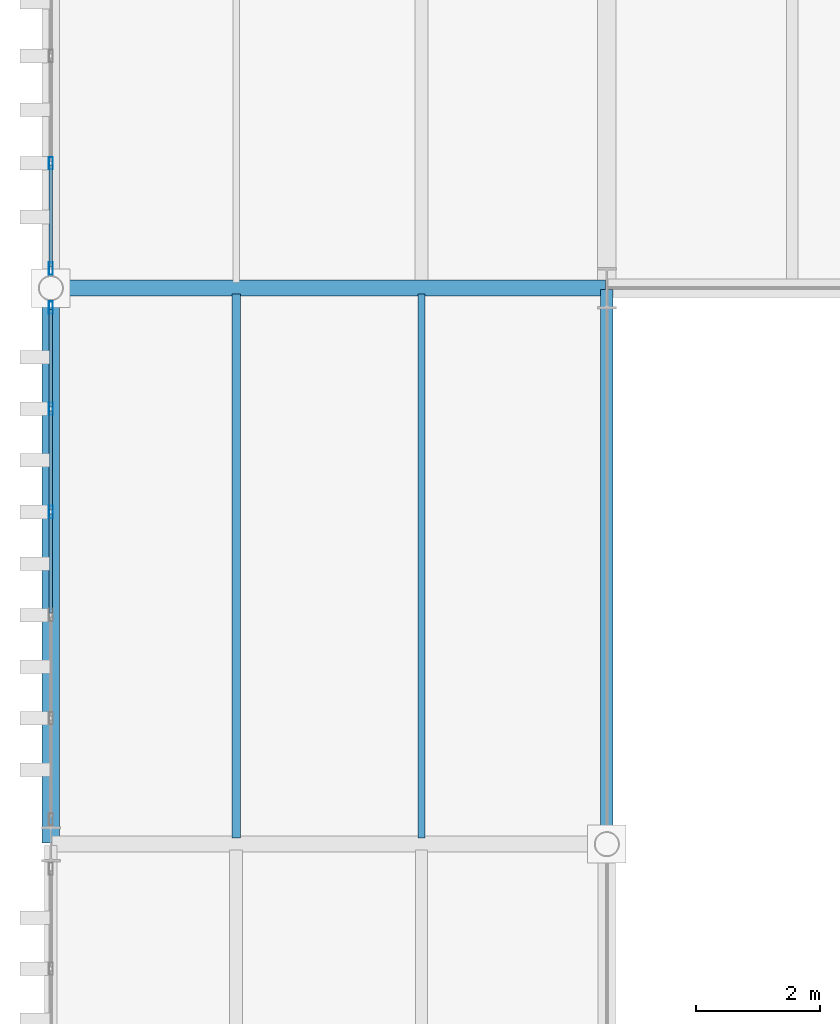
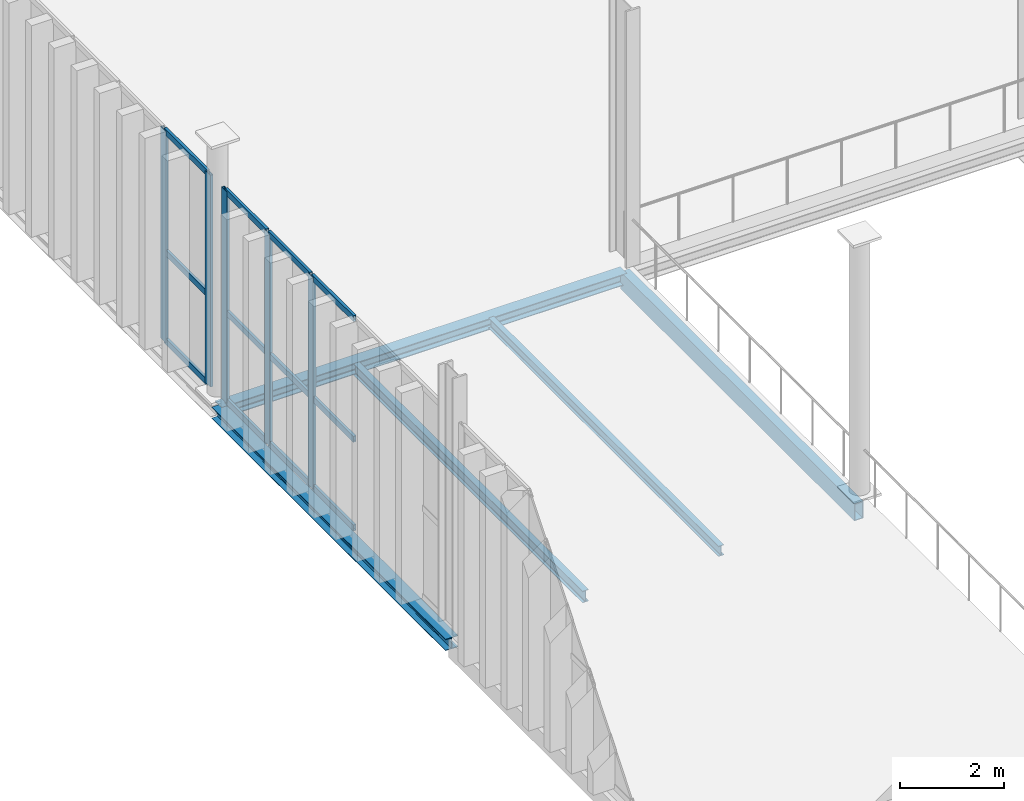
# One storey, part 78 of 211: 17 members, 5 beams, 2 elements without a shape of their own.
"""IFC4 building model written with IfcOpenShell, lengths in metres."""

from ifc_helpers import new_model, si_unit, direction, frame, origin, origin_2d, place, context, subcontext, project, spatial, hollow_rectangle, i_section, extrude, material, layer, layer_set, material_profile, profile_set, type_object, element, aggregate, save


model = new_model("IFC4")

# Units and contexts
model_context = context("Model", 3, precision=1e-05, world=origin(), true_north=direction((0.0, 1.0)))
body_context = subcontext(model_context, "Body", "Model", "MODEL_VIEW")
ifc_project = project(units=[si_unit("LENGTHUNIT", "METRE"), si_unit("AREAUNIT", "SQUARE_METRE"), si_unit("VOLUMEUNIT", "CUBIC_METRE"), si_unit("PLANEANGLEUNIT", "RADIAN"), si_unit("MASSUNIT", "GRAM", prefix="KILO")], contexts=[model_context])

# Site, building, storey
site_placement = place(None, origin())
site = spatial("IfcSite", under=ifc_project, at=site_placement, CompositionType="ELEMENT")
building_placement = place(site_placement, origin())
building = spatial("IfcBuilding", under=site, at=building_placement, Name="Barlavento Convention Centre", CompositionType="ELEMENT")
storey_placement = place(building_placement, frame((0.0, 0.0, 6.0)))
storey = spatial("IfcBuildingStorey", under=building, at=storey_placement, Name="L01", CompositionType="ELEMENT", Elevation=6.0)

# Curtain wall, members
ifc_material_1 = material(Name="Powder-coated aluminium and Low-E glass", Category="aluminium")
ifc_layer = layer(ifc_material_1, 0.179931640625)
ifc_layer_set = layer_set([ifc_layer], Name="ARC-CW-EXH-L01")
curtain_wall_type = type_object("IfcCurtainWallType", Name="ARC-CW-EXH-L01", PredefinedType="NOTDEFINED", material=ifc_layer_set)
curtain_wall_1_placement = place(storey_placement, origin())
curtain_wall_1 = element("IfcCurtainWall", 1, at=curtain_wall_1_placement, inside=storey, type_object=curtain_wall_type, Name="L01 unitised curtain wall CW04", PredefinedType="NOTDEFINED")
ifc_material_2 = material(Name="Powder-coated aluminium", Category="aluminium")
ifc_material_profile_1 = material_profile(ifc_material_2, hollow_rectangle(XDim=0.06494140625, YDim=0.199951171875, WallThickness=0.0048828125, at=origin_2d()), Name="AL-MULL 65x200x5")
ifc_profile_set_1 = profile_set([ifc_material_profile_1], Name="Powder-coated aluminium")
member_type_1 = type_object("IfcMemberType", Name="ARC-CWM-65X200", PredefinedType="MULLION", material=ifc_profile_set_1)
member_1_placement = place(storey_placement, frame((0.0, 113.37646484375, 0.0), z_axis=(0.0, 0.0, 1.0), x_axis=(-1.0, 0.0, 0.0)))
member_1 = element("IfcMember", 2, at=member_1_placement, type_object=member_type_1, Name="CW04 mullion 4", PredefinedType="MULLION", context=body_context, shape_type="SweptSolid", body=[
    extrude(hollow_rectangle(XDim=0.06494140625, YDim=0.199951171875, WallThickness=0.0048828125, at=origin_2d()), origin(), (0.0, 0.0, 1.0), 4.949951171875),
])
member_2_placement = place(storey_placement, frame((0.0, 115.046630859375, 0.0), z_axis=(0.0, 0.0, 1.0), x_axis=(-1.0, 0.0, 0.0)))
member_2 = element("IfcMember", 3, at=member_2_placement, type_object=member_type_1, Name="CW04 mullion 5", PredefinedType="MULLION", context=body_context, shape_type="SweptSolid", body=[
    extrude(hollow_rectangle(XDim=0.06494140625, YDim=0.199951171875, WallThickness=0.0048828125, at=origin_2d()), origin(), (0.0, 0.0, 1.0), 4.949951171875),
])
member_3_placement = place(storey_placement, frame((0.0, 116.684326171875, 0.0), z_axis=(0.0, 0.0, 1.0), x_axis=(-1.0, 0.0, 0.0)))
member_3 = element("IfcMember", 4, at=member_3_placement, type_object=member_type_1, Name="CW04 mullion 6", PredefinedType="MULLION", context=body_context, shape_type="SweptSolid", body=[
    extrude(hollow_rectangle(XDim=0.06494140625, YDim=0.199951171875, WallThickness=0.0048828125, at=origin_2d()), origin(), (0.0, 0.0, 1.0), 4.949951171875),
])

curtain_wall_2_placement = place(storey_placement, origin())
curtain_wall_2 = element("IfcCurtainWall", 5, at=curtain_wall_2_placement, inside=storey, type_object=curtain_wall_type, Name="L01 unitised curtain wall CW04", PredefinedType="NOTDEFINED")
member_4_placement = place(storey_placement, frame((0.0, 117.315673828125, 0.0), z_axis=(0.0, 0.0, 1.0), x_axis=(-1.0, 0.0, 0.0)))
member_4 = element("IfcMember", 6, at=member_4_placement, type_object=member_type_1, Name="CW04 mullion 1", PredefinedType="MULLION", context=body_context, shape_type="SweptSolid", body=[
    extrude(hollow_rectangle(XDim=0.06494140625, YDim=0.199951171875, WallThickness=0.0048828125, at=origin_2d()), origin(), (0.0, 0.0, 1.0), 4.949951171875),
])
member_5_placement = place(storey_placement, frame((0.0, 119.020751953125, 0.0), z_axis=(0.0, 0.0, 1.0), x_axis=(-1.0, 0.0, 0.0)))
member_5 = element("IfcMember", 7, at=member_5_placement, type_object=member_type_1, Name="CW04 mullion 2", PredefinedType="MULLION", context=body_context, shape_type="SweptSolid", body=[
    extrude(hollow_rectangle(XDim=0.06494140625, YDim=0.199951171875, WallThickness=0.0048828125, at=origin_2d()), origin(), (0.0, 0.0, 1.0), 4.949951171875),
])

# Member
ifc_material_profile_2 = material_profile(ifc_material_2, hollow_rectangle(XDim=0.06005859375, YDim=0.139892578125, WallThickness=0.00390625, at=origin_2d()), Name="AL-TRAN 60x140x4")
ifc_profile_set_2 = profile_set([ifc_material_profile_2], Name="Powder-coated aluminium")
member_type_2 = type_object("IfcMemberType", Name="ARC-CWT-60X140", PredefinedType="USERDEFINED", material=ifc_profile_set_2)
member_6_placement = place(storey_placement, frame((0.0, 111.73876953125, 0.030029296875), z_axis=(0.0, 1.0, 0.0), x_axis=(-1.0, 0.0, 0.0)))
member_6 = element("IfcMember", 8, at=member_6_placement, type_object=member_type_2, Name="CW04 transom 3.1", ObjectType="TRANSOM", PredefinedType="USERDEFINED", context=body_context, shape_type="SweptSolid", body=[
    extrude(hollow_rectangle(XDim=0.06005859375, YDim=0.139892578125, WallThickness=0.00390625, at=origin_2d()), origin(), (0.0, 0.0, 1.0), 1.605224609375),
])

member_7_placement = place(storey_placement, frame((0.0, 111.73876953125, 2.10009765625), z_axis=(0.0, 1.0, 0.0), x_axis=(-1.0, 0.0, 0.0)))
member_7 = element("IfcMember", 9, at=member_7_placement, type_object=member_type_2, Name="CW04 transom 3.2", ObjectType="TRANSOM", PredefinedType="USERDEFINED", context=body_context, shape_type="SweptSolid", body=[
    extrude(hollow_rectangle(XDim=0.06005859375, YDim=0.139892578125, WallThickness=0.00390625, at=origin_2d()), origin(), (0.0, 0.0, 1.0), 1.605224609375),
])

member_8_placement = place(storey_placement, frame((0.0, 111.73876953125, 4.919921875), z_axis=(0.0, 1.0, 0.0), x_axis=(-1.0, 0.0, 0.0)))
member_8 = element("IfcMember", 10, at=member_8_placement, type_object=member_type_2, Name="CW04 transom 3.3", ObjectType="TRANSOM", PredefinedType="USERDEFINED", context=body_context, shape_type="SweptSolid", body=[
    extrude(hollow_rectangle(XDim=0.06005859375, YDim=0.139892578125, WallThickness=0.00390625, at=origin_2d()), origin(), (0.0, 0.0, 1.0), 1.605224609375),
])

member_9_placement = place(storey_placement, frame((0.0, 113.408935546875, 0.030029296875), z_axis=(0.0, 1.0, 0.0), x_axis=(-1.0, 0.0, 0.0)))
member_9 = element("IfcMember", 11, at=member_9_placement, type_object=member_type_2, Name="CW04 transom 4.1", ObjectType="TRANSOM", PredefinedType="USERDEFINED", context=body_context, shape_type="SweptSolid", body=[
    extrude(hollow_rectangle(XDim=0.06005859375, YDim=0.139892578125, WallThickness=0.00390625, at=origin_2d()), origin(), (0.0, 0.0, 1.0), 1.605224609375),
])

member_10_placement = place(storey_placement, frame((0.0, 113.408935546875, 2.10009765625), z_axis=(0.0, 1.0, 0.0), x_axis=(-1.0, 0.0, 0.0)))
member_10 = element("IfcMember", 12, at=member_10_placement, type_object=member_type_2, Name="CW04 transom 4.2", ObjectType="TRANSOM", PredefinedType="USERDEFINED", context=body_context, shape_type="SweptSolid", body=[
    extrude(hollow_rectangle(XDim=0.06005859375, YDim=0.139892578125, WallThickness=0.00390625, at=origin_2d()), origin(), (0.0, 0.0, 1.0), 1.605224609375),
])

member_11_placement = place(storey_placement, frame((0.0, 113.408935546875, 4.919921875), z_axis=(0.0, 1.0, 0.0), x_axis=(-1.0, 0.0, 0.0)))
member_11 = element("IfcMember", 13, at=member_11_placement, type_object=member_type_2, Name="CW04 transom 4.3", ObjectType="TRANSOM", PredefinedType="USERDEFINED", context=body_context, shape_type="SweptSolid", body=[
    extrude(hollow_rectangle(XDim=0.06005859375, YDim=0.139892578125, WallThickness=0.00390625, at=origin_2d()), origin(), (0.0, 0.0, 1.0), 1.605224609375),
])

member_12_placement = place(storey_placement, frame((0.0, 115.0791015625, 0.030029296875), z_axis=(0.0, 1.0, 0.0), x_axis=(-1.0, 0.0, 0.0)))
member_12 = element("IfcMember", 14, at=member_12_placement, type_object=member_type_2, Name="CW04 transom 5.1", ObjectType="TRANSOM", PredefinedType="USERDEFINED", context=body_context, shape_type="SweptSolid", body=[
    extrude(hollow_rectangle(XDim=0.06005859375, YDim=0.139892578125, WallThickness=0.00390625, at=origin_2d()), origin(), (0.0, 0.0, 1.0), 1.57275390625),
])

member_13_placement = place(storey_placement, frame((0.0, 115.0791015625, 2.10009765625), z_axis=(0.0, 1.0, 0.0), x_axis=(-1.0, 0.0, 0.0)))
member_13 = element("IfcMember", 15, at=member_13_placement, type_object=member_type_2, Name="CW04 transom 5.2", ObjectType="TRANSOM", PredefinedType="USERDEFINED", context=body_context, shape_type="SweptSolid", body=[
    extrude(hollow_rectangle(XDim=0.06005859375, YDim=0.139892578125, WallThickness=0.00390625, at=origin_2d()), origin(), (0.0, 0.0, 1.0), 1.57275390625),
])

member_14_placement = place(storey_placement, frame((0.0, 115.0791015625, 4.919921875), z_axis=(0.0, 1.0, 0.0), x_axis=(-1.0, 0.0, 0.0)))
member_14 = element("IfcMember", 16, at=member_14_placement, type_object=member_type_2, Name="CW04 transom 5.3", ObjectType="TRANSOM", PredefinedType="USERDEFINED", context=body_context, shape_type="SweptSolid", body=[
    extrude(hollow_rectangle(XDim=0.06005859375, YDim=0.139892578125, WallThickness=0.00390625, at=origin_2d()), origin(), (0.0, 0.0, 1.0), 1.57275390625),
])

aggregate(curtain_wall_1, [member_1, member_2, member_3, member_6, member_7, member_8, member_9, member_10, member_11, member_12, member_13, member_14])

member_15_placement = place(storey_placement, frame((0.0, 117.34814453125, 0.030029296875), z_axis=(0.0, 1.0, 0.0), x_axis=(-1.0, 0.0, 0.0)))
member_15 = element("IfcMember", 17, at=member_15_placement, type_object=member_type_2, Name="CW04 transom 1.1", ObjectType="TRANSOM", PredefinedType="USERDEFINED", context=body_context, shape_type="SweptSolid", body=[
    extrude(hollow_rectangle(XDim=0.06005859375, YDim=0.139892578125, WallThickness=0.00390625, at=origin_2d()), origin(), (0.0, 0.0, 1.0), 1.64013671875),
])

member_16_placement = place(storey_placement, frame((0.0, 117.34814453125, 2.10009765625), z_axis=(0.0, 1.0, 0.0), x_axis=(-1.0, 0.0, 0.0)))
member_16 = element("IfcMember", 18, at=member_16_placement, type_object=member_type_2, Name="CW04 transom 1.2", ObjectType="TRANSOM", PredefinedType="USERDEFINED", context=body_context, shape_type="SweptSolid", body=[
    extrude(hollow_rectangle(XDim=0.06005859375, YDim=0.139892578125, WallThickness=0.00390625, at=origin_2d()), origin(), (0.0, 0.0, 1.0), 1.64013671875),
])

member_17_placement = place(storey_placement, frame((0.0, 117.34814453125, 4.919921875), z_axis=(0.0, 1.0, 0.0), x_axis=(-1.0, 0.0, 0.0)))
member_17 = element("IfcMember", 19, at=member_17_placement, type_object=member_type_2, Name="CW04 transom 1.3", ObjectType="TRANSOM", PredefinedType="USERDEFINED", context=body_context, shape_type="SweptSolid", body=[
    extrude(hollow_rectangle(XDim=0.06005859375, YDim=0.139892578125, WallThickness=0.00390625, at=origin_2d()), origin(), (0.0, 0.0, 1.0), 1.64013671875),
])

aggregate(curtain_wall_2, [member_4, member_5, member_15, member_16, member_17])

# Beams
ifc_material_3 = material(Name="Steel S355", Category="steel")
ifc_material_profile_3 = material_profile(ifc_material_3, i_section(OverallWidth=0.1201171875, OverallDepth=0.239990234375, WebThickness=0.006103515625, FlangeThickness=0.009765625, FilletRadius=0.014892578125, at=origin_2d()), Name="IPE 240")
ifc_profile_set_3 = profile_set([ifc_material_profile_3], Name="Steel S355")
beam_type_1 = type_object("IfcBeamType", Name="STR-BM-JST-IPE240", PredefinedType="JOIST", material=ifc_profile_set_3)
beam_1_placement = place(storey_placement, frame((6.0, 108.094970703125, -0.39990234375), z_axis=(0.0, 1.0, 0.0), x_axis=(-1.0, 0.0, 0.0)))
element("IfcBeam", 20, at=beam_1_placement, inside=storey, type_object=beam_type_1, Name="L01 composite floor joist SJ09", PredefinedType="JOIST", context=body_context, shape_type="SweptSolid", body=[
    extrude(i_section(OverallWidth=0.1201171875, OverallDepth=0.239990234375, WebThickness=0.006103515625, FlangeThickness=0.009765625, FilletRadius=0.014892578125, at=origin_2d()), origin(), (0.0, 0.0, 1.0), 8.81005859375),
])
ifc_material_profile_4 = material_profile(ifc_material_3, i_section(OverallWidth=0.135009765625, OverallDepth=0.27001953125, WebThickness=0.006591796875, FlangeThickness=0.01025390625, FilletRadius=0.014892578125, at=origin_2d()), Name="IPE 270")
ifc_profile_set_4 = profile_set([ifc_material_profile_4], Name="Steel S355")
beam_type_2 = type_object("IfcBeamType", Name="STR-BM-JST-IPE270", PredefinedType="JOIST", material=ifc_profile_set_4)
beam_2_placement = place(storey_placement, frame((3.0, 108.094970703125, -0.4150390625), z_axis=(0.0, 1.0, 0.0), x_axis=(-1.0, 0.0, 0.0)))
element("IfcBeam", 21, at=beam_2_placement, inside=storey, type_object=beam_type_2, Name="L01 composite floor joist SJ08", PredefinedType="JOIST", context=body_context, shape_type="SweptSolid", body=[
    extrude(i_section(OverallWidth=0.135009765625, OverallDepth=0.27001953125, WebThickness=0.006591796875, FlangeThickness=0.01025390625, FilletRadius=0.014892578125, at=origin_2d()), origin(), (0.0, 0.0, 1.0), 8.81005859375),
])
ifc_material_profile_5 = material_profile(ifc_material_3, i_section(OverallWidth=0.260009765625, OverallDepth=0.260009765625, WebThickness=0.010009765625, FlangeThickness=0.017578125, FilletRadius=0.02392578125, at=origin_2d()), Name="HEB 260")
ifc_profile_set_5 = profile_set([ifc_material_profile_5], Name="Steel S355")
beam_type_3 = type_object("IfcBeamType", Name="STR-BM-PRI-HEB260", PredefinedType="BEAM", material=ifc_profile_set_5)
beam_3_placement = place(storey_placement, frame((0.02001953125, 117.0, -0.409912109375), z_axis=(1.0, 0.0, 0.0), x_axis=(0.0, 1.0, 0.0)))
element("IfcBeam", 22, at=beam_3_placement, inside=storey, type_object=beam_type_3, Name="L01 primary girder BG16", PredefinedType="BEAM", context=body_context, shape_type="SweptSolid", body=[
    extrude(i_section(OverallWidth=0.260009765625, OverallDepth=0.260009765625, WebThickness=0.010009765625, FlangeThickness=0.017578125, FilletRadius=0.02392578125, at=origin_2d()), origin(), (0.0, 0.0, 1.0), 8.9599609375),
])
ifc_material_profile_6 = material_profile(ifc_material_3, i_section(OverallWidth=0.280029296875, OverallDepth=0.27001953125, WebThickness=0.008056640625, FlangeThickness=0.012939453125, FilletRadius=0.02392578125, at=origin_2d()), Name="HEA 280")
ifc_profile_set_6 = profile_set([ifc_material_profile_6], Name="Steel S355")
beam_type_4 = type_object("IfcBeamType", Name="STR-BM-SPN-HEA280", PredefinedType="SPANDREL", material=ifc_profile_set_6)
beam_4_placement = place(storey_placement, frame((0.0, 108.02001953125, -0.4150390625), z_axis=(0.0, 1.0, 0.0), x_axis=(-1.0, 0.0, 0.0)))
element("IfcBeam", 23, at=beam_4_placement, inside=storey, type_object=beam_type_4, Name="L01 grid girder SP03", PredefinedType="SPANDREL", context=body_context, shape_type="SweptSolid", body=[
    extrude(i_section(OverallWidth=0.280029296875, OverallDepth=0.27001953125, WebThickness=0.008056640625, FlangeThickness=0.012939453125, FilletRadius=0.02392578125, at=origin_2d()), origin(), (0.0, 0.0, 1.0), 8.9599609375),
])
ifc_material_profile_7 = material_profile(ifc_material_3, hollow_rectangle(XDim=0.199951171875, YDim=0.39990234375, WallThickness=0.01611328125, at=origin_2d()), Name="RHS 400x200x16.0")
ifc_profile_set_7 = profile_set([ifc_material_profile_7], Name="Steel S355")
beam_type_5 = type_object("IfcBeamType", Name="STR-BM-SPN-RHS400", PredefinedType="SPANDREL", material=ifc_profile_set_7)
beam_5_placement = place(storey_placement, frame((9.0, 108.02001953125, -0.47998046875), z_axis=(0.0, 1.0, 0.0), x_axis=(-1.0, 0.0, 0.0)))
element("IfcBeam", 24, at=beam_5_placement, inside=storey, type_object=beam_type_5, Name="L01 grid girder SP06", PredefinedType="SPANDREL", context=body_context, shape_type="SweptSolid", body=[
    extrude(hollow_rectangle(XDim=0.199951171875, YDim=0.39990234375, WallThickness=0.01611328125, at=origin_2d()), origin(), (0.0, 0.0, 1.0), 8.9599609375),
])

save(model, "model.ifc")
